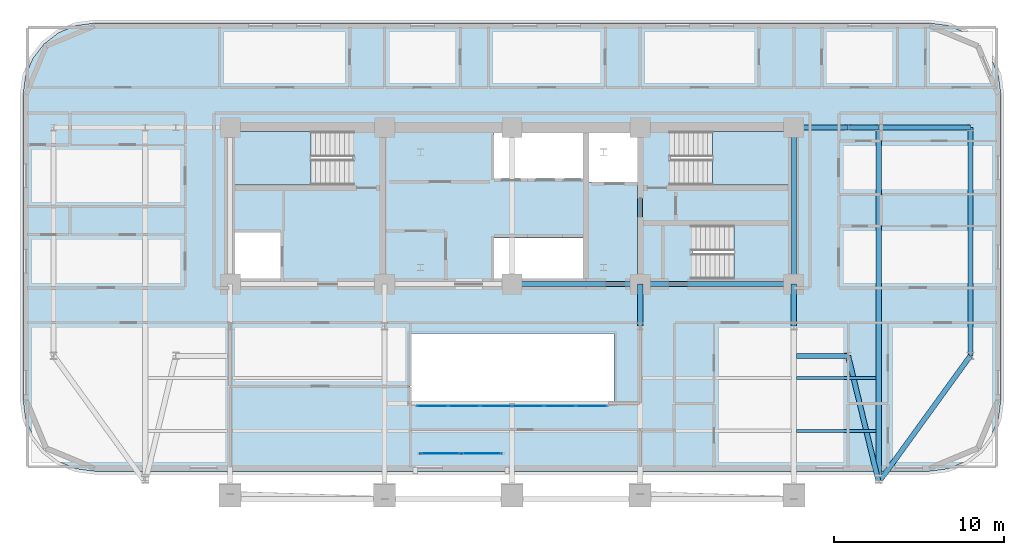
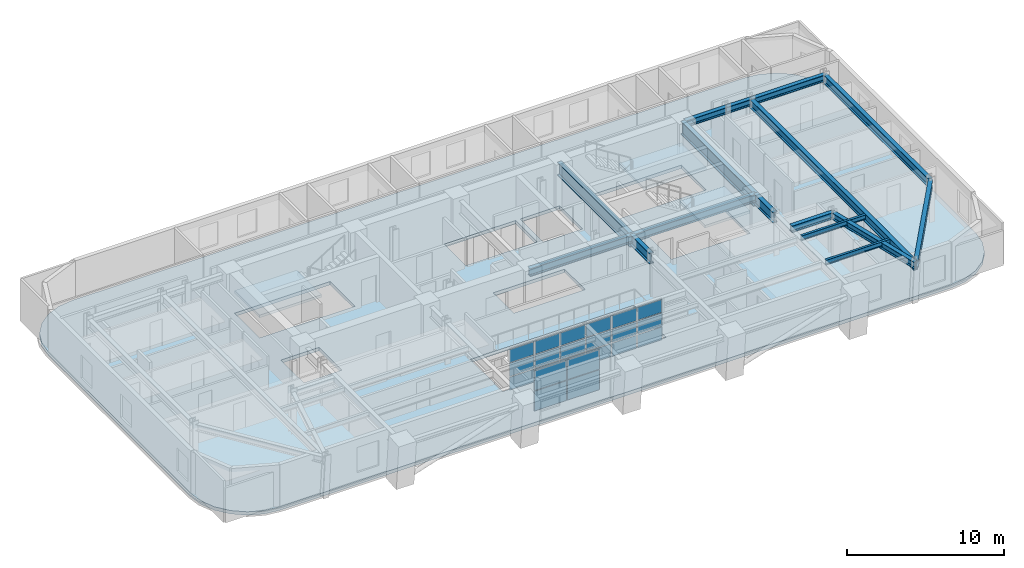
# One storey, part 6 of 16: 22 plates, 16 beams, 4 slabs, 5 elements without a shape of their own.
"""IFC4 building model written with IfcOpenShell, lengths in metres."""

from ifc_helpers import new_model, si_unit, direction, frame, origin, origin_2d, place, context, subcontext, project, spatial, polyline, rectangle, i_section, outline, extrude, material, layer, layer_set, material_profile, profile_set, type_object, element, aggregate, save


model = new_model("IFC4")

# Units and contexts
model_context = context("Model", 3, precision=1e-05, world=origin(), true_north=direction((0.0, 1.0)))
body_context = subcontext(model_context, "Body", "Model", "MODEL_VIEW")
ifc_project = project(units=[si_unit("LENGTHUNIT", "METRE"), si_unit("AREAUNIT", "SQUARE_METRE"), si_unit("VOLUMEUNIT", "CUBIC_METRE"), si_unit("PLANEANGLEUNIT", "RADIAN"), si_unit("MASSUNIT", "GRAM", prefix="KILO")], contexts=[model_context])

# Site, building, storey
site_placement = place(None, origin())
site = spatial("IfcSite", under=ifc_project, at=site_placement, CompositionType="ELEMENT")
building_placement = place(site_placement, origin())
building = spatial("IfcBuilding", under=site, at=building_placement, Name="Zarnavel Station Tower", CompositionType="ELEMENT")
storey_placement = place(building_placement, frame((0.0, 0.0, 118.800048828125)))
storey = spatial("IfcBuildingStorey", under=building, at=storey_placement, Name="L32", CompositionType="ELEMENT", Elevation=118.800048828125)

# Beams
ifc_material_1 = material(Name="Steel S355J2", Category="steel")
ifc_material_profile_1 = material_profile(ifc_material_1, i_section(OverallWidth=0.300048828125, OverallDepth=0.5, WebThickness=0.014404296875, FlangeThickness=0.028076171875, FilletRadius=0.027099609375, at=origin_2d()), Name="HEB500")
ifc_profile_set_1 = profile_set([ifc_material_profile_1], Name="Steel S355J2")
beam_type_1 = type_object("IfcBeamType", Name="FG_HEB500", PredefinedType="USERDEFINED", material=ifc_profile_set_1)
for number, where, z_axis, x_axis, name in (
    (1, (45.544921875, 23.60009765625, 2.989990234375), (1.0, 0.0, 0.0), (0.0, 1.0, 0.0), "L32 East Wing South Tie 1"),
    (2, (45.544921875, 37.050048828125, 2.989990234375), (1.0, 0.0, 0.0), (0.0, 1.0, 0.0), "L32 East Wing North Tie 1"),
):
    element("IfcBeam", number, at=place(storey_placement, frame(where, z_axis=z_axis, x_axis=x_axis)), inside=storey, type_object=beam_type_1, Name=name, ObjectType="GIRDER", PredefinedType="USERDEFINED", context=body_context, shape_type="SweptSolid", body=[
        extrude(i_section(OverallWidth=0.300048828125, OverallDepth=0.5, WebThickness=0.014404296875, FlangeThickness=0.028076171875, FilletRadius=0.027099609375, at=origin_2d()), origin(), (0.0, 0.0, 1.0), 3.05517578125),
    ])
beam_1_placement = place(storey_placement, frame((48.60009765625, 23.60009765625, 2.989990234375), z_axis=(0.234612534321, -0.972088966473, 0.0), x_axis=(0.972088966473, 0.234612534321, 0.0)))
element("IfcBeam", 3, at=beam_1_placement, inside=storey, type_object=beam_type_1, Name="L32 East Wing South Tie 2", ObjectType="GIRDER", PredefinedType="USERDEFINED", context=body_context, shape_type="SweptSolid", body=[
    extrude(i_section(OverallWidth=0.300048828125, OverallDepth=0.5, WebThickness=0.014404296875, FlangeThickness=0.028076171875, FilletRadius=0.027099609375, at=origin_2d()), origin(), (0.0, 0.0, 1.0), 7.67138671875),
])
beam_2_placement = place(storey_placement, frame((48.60009765625, 37.050048828125, 2.989990234375), z_axis=(1.0, 0.0, 0.0), x_axis=(0.0, 1.0, 0.0)))
element("IfcBeam", 4, at=beam_2_placement, inside=storey, type_object=beam_type_1, Name="L32 East Wing North Tie 2", ObjectType="GIRDER", PredefinedType="USERDEFINED", context=body_context, shape_type="SweptSolid", body=[
    extrude(i_section(OverallWidth=0.300048828125, OverallDepth=0.5, WebThickness=0.014404296875, FlangeThickness=0.028076171875, FilletRadius=0.027099609375, at=origin_2d()), origin(), (0.0, 0.0, 1.0), 1.7998046875),
])
beam_3_placement = place(storey_placement, frame((50.39990234375, 16.142822265625, 2.989990234375), z_axis=(0.586513411078, 0.809939515412, 0.0), x_axis=(-0.809939515412, 0.586513411078, 0.0)))
element("IfcBeam", 5, at=beam_3_placement, inside=storey, type_object=beam_type_1, Name="L32 East Wing South Tie 3", ObjectType="GIRDER", PredefinedType="USERDEFINED", context=body_context, shape_type="SweptSolid", body=[
    extrude(i_section(OverallWidth=0.300048828125, OverallDepth=0.5, WebThickness=0.014404296875, FlangeThickness=0.028076171875, FilletRadius=0.027099609375, at=origin_2d()), origin(), (0.0, 0.0, 1.0), 9.207275390625),
])
beam_4_placement = place(storey_placement, frame((50.39990234375, 37.050048828125, 2.989990234375), z_axis=(1.0, 0.0, 0.0), x_axis=(0.0, 1.0, 0.0)))
element("IfcBeam", 6, at=beam_4_placement, inside=storey, type_object=beam_type_1, Name="L32 East Wing North Tie 3", ObjectType="GIRDER", PredefinedType="USERDEFINED", context=body_context, shape_type="SweptSolid", body=[
    extrude(i_section(OverallWidth=0.300048828125, OverallDepth=0.5, WebThickness=0.014404296875, FlangeThickness=0.028076171875, FilletRadius=0.027099609375, at=origin_2d()), origin(), (0.0, 0.0, 1.0), 5.400146484375),
])
ifc_material_2 = material(Name="Steel S355J2", Category="steel")
ifc_material_profile_2 = material_profile(ifc_material_2, i_section(OverallWidth=0.300048828125, OverallDepth=0.60009765625, WebThickness=0.015380859375, FlangeThickness=0.030029296875, FilletRadius=0.027099609375, at=origin_2d()), Name="HEB600")
ifc_profile_set_2 = profile_set([ifc_material_profile_2], Name="Steel S355J2")
beam_type_2 = type_object("IfcBeamType", Name="FG_HEB600", PredefinedType="USERDEFINED", material=ifc_profile_set_2)
beam_5_placement = place(storey_placement, frame((28.800048828125, 27.820068359375, 2.93994140625), z_axis=(1.0, 0.0, 0.0), x_axis=(0.0, 1.0, 0.0)))
element("IfcBeam", 7, at=beam_5_placement, inside=storey, type_object=beam_type_2, Name="L32 Core Front Coupling Beam 3", ObjectType="GIRDER", PredefinedType="USERDEFINED", context=body_context, shape_type="SweptSolid", body=[
    extrude(i_section(OverallWidth=0.300048828125, OverallDepth=0.60009765625, WebThickness=0.015380859375, FlangeThickness=0.030029296875, FilletRadius=0.027099609375, at=origin_2d()), origin(), (0.0, 0.0, 1.0), 7.550048828125),
])
beam_6_placement = place(storey_placement, frame((36.35009765625, 27.820068359375, 2.93994140625), z_axis=(1.0, 0.0, 0.0), x_axis=(0.0, 1.0, 0.0)))
element("IfcBeam", 8, at=beam_6_placement, inside=storey, type_object=beam_type_2, Name="L32 Core Front Coupling Beam 4", ObjectType="GIRDER", PredefinedType="USERDEFINED", context=body_context, shape_type="SweptSolid", body=[
    extrude(i_section(OverallWidth=0.300048828125, OverallDepth=0.60009765625, WebThickness=0.015380859375, FlangeThickness=0.030029296875, FilletRadius=0.027099609375, at=origin_2d()), origin(), (0.0, 0.0, 1.0), 9.0498046875),
])
ifc_material_3 = material(Name="Steel S355J2", Category="steel")
ifc_material_profile_3 = material_profile(ifc_material_3, i_section(OverallWidth=0.300048828125, OverallDepth=0.64990234375, WebThickness=0.01611328125, FlangeThickness=0.031005859375, FilletRadius=0.027099609375, at=origin_2d()), Name="HEB650")
ifc_profile_set_3 = profile_set([ifc_material_profile_3], Name="Steel S355J2")
beam_type_3 = type_object("IfcBeamType", Name="FG_HEB650", PredefinedType="USERDEFINED", material=ifc_profile_set_3)
beam_7_placement = place(storey_placement, frame((50.39990234375, 16.142822265625, 2.9150390625), z_axis=(0.0, 1.0, 0.0), x_axis=(-1.0, 0.0, 0.0)))
element("IfcBeam", 9, at=beam_7_placement, inside=storey, type_object=beam_type_3, Name="L32 Wing NS Girder 3", ObjectType="GIRDER", PredefinedType="USERDEFINED", context=body_context, shape_type="SweptSolid", body=[
    extrude(i_section(OverallWidth=0.300048828125, OverallDepth=0.64990234375, WebThickness=0.01611328125, FlangeThickness=0.031005859375, FilletRadius=0.027099609375, at=origin_2d()), origin(), (0.0, 0.0, 1.0), 20.9072265625),
])
beam_8_placement = place(storey_placement, frame((55.800048828125, 23.60009765625, 2.9150390625), z_axis=(0.0, 1.0, 0.0), x_axis=(-1.0, 0.0, 0.0)))
element("IfcBeam", 10, at=beam_8_placement, inside=storey, type_object=beam_type_3, Name="L32 Wing NS Girder 4", ObjectType="GIRDER", PredefinedType="USERDEFINED", context=body_context, shape_type="SweptSolid", body=[
    extrude(i_section(OverallWidth=0.300048828125, OverallDepth=0.64990234375, WebThickness=0.01611328125, FlangeThickness=0.031005859375, FilletRadius=0.027099609375, at=origin_2d()), origin(), (0.0, 0.0, 1.0), 13.449951171875),
])
ifc_material_4 = material(Name="Steel S460M", Category="steel")
ifc_material_profile_4 = material_profile(ifc_material_4, i_section(OverallWidth=0.302978515625, OverallDepth=0.81396484375, WebThickness=0.02099609375, FlangeThickness=0.0400390625, FilletRadius=0.030029296875, at=origin_2d()), Name="HEM800")
ifc_profile_set_4 = profile_set([ifc_material_profile_4], Name="Steel S460M")
beam_type_4 = type_object("IfcBeamType", Name="FG_HEM800", PredefinedType="USERDEFINED", material=ifc_profile_set_4)
for number, where, z_axis, x_axis, name in (
    (11, (36.35009765625, 25.35009765625, 2.8330078125), (0.0, 1.0, 0.0), (-1.0, 0.0, 0.0), "L32 Inner-Zone NS Girder 4"),
    (12, (45.39990234375, 25.35009765625, 2.8330078125), (0.0, 1.0, 0.0), (-1.0, 0.0, 0.0), "L32 Inner-Zone NS Girder 5"),
):
    element("IfcBeam", number, at=place(storey_placement, frame(where, z_axis=z_axis, x_axis=x_axis)), inside=storey, type_object=beam_type_4, Name=name, ObjectType="GIRDER", PredefinedType="USERDEFINED", context=body_context, shape_type="SweptSolid", body=[
        extrude(i_section(OverallWidth=0.302978515625, OverallDepth=0.81396484375, WebThickness=0.02099609375, FlangeThickness=0.0400390625, FilletRadius=0.030029296875, at=origin_2d()), origin(), (0.0, 0.0, 1.0), 2.469970703125),
    ])
ifc_material_5 = material(Name="Steel S355J2", Category="steel")
ifc_material_profile_5 = material_profile(ifc_material_5, i_section(OverallWidth=0.169921875, OverallDepth=0.360107421875, WebThickness=0.008056640625, FlangeThickness=0.0126953125, FilletRadius=0.01806640625, at=origin_2d()), Name="IPE360")
ifc_profile_set_5 = profile_set([ifc_material_profile_5], Name="Steel S355J2")
beam_type_5 = type_object("IfcBeamType", Name="FJ_IPE360", PredefinedType="JOIST", material=ifc_profile_set_5)
for number, where, z_axis, x_axis, name in (
    (13, (45.544921875, 19.17919921875, 3.06005859375), (1.0, 0.0, 0.0), (0.0, 1.0, 0.0), "L32 East Wing Joist 1"),
    (14, (45.544921875, 22.28955078125, 3.06005859375), (1.0, 0.0, 0.0), (0.0, 1.0, 0.0), "L32 East Wing Joist 2"),
):
    element("IfcBeam", number, at=place(storey_placement, frame(where, z_axis=z_axis, x_axis=x_axis)), inside=storey, type_object=beam_type_5, Name=name, PredefinedType="JOIST", context=body_context, shape_type="SweptSolid", body=[
        extrude(i_section(OverallWidth=0.169921875, OverallDepth=0.360107421875, WebThickness=0.008056640625, FlangeThickness=0.0126953125, FilletRadius=0.01806640625, at=origin_2d()), origin(), (0.0, 0.0, 1.0), 4.7099609375),
    ])
ifc_material_6 = material(Name="Steel S460M", Category="steel")
ifc_material_profile_6 = material_profile(ifc_material_6, i_section(OverallWidth=0.302001953125, OverallDepth=1.008056640625, WebThickness=0.02099609375, FlangeThickness=0.0400390625, FilletRadius=0.030029296875, at=origin_2d()), Name="HEM1000")
ifc_profile_set_6 = profile_set([ifc_material_profile_6], Name="Steel S460M")
beam_type_6 = type_object("IfcBeamType", Name="TG_HEM1000", PredefinedType="USERDEFINED", material=ifc_profile_set_6)
for number, where, z_axis, x_axis, name in (
    (15, (36.35009765625, 27.820068359375, 2.73583984375), (0.0, 1.0, 0.0), (-1.0, 0.0, 0.0), "L32 Core Spine Coupling Girder 4"),
    (16, (45.39990234375, 27.820068359375, 2.73583984375), (0.0, 1.0, 0.0), (-1.0, 0.0, 0.0), "L32 Core Spine Coupling Girder 5"),
):
    element("IfcBeam", number, at=place(storey_placement, frame(where, z_axis=z_axis, x_axis=x_axis)), inside=storey, type_object=beam_type_6, Name=name, ObjectType="GIRDER", PredefinedType="USERDEFINED", context=body_context, shape_type="SweptSolid", body=[
        extrude(i_section(OverallWidth=0.302001953125, OverallDepth=1.008056640625, WebThickness=0.02099609375, FlangeThickness=0.0400390625, FilletRadius=0.030029296875, at=origin_2d()), origin(), (0.0, 0.0, 1.0), 9.22998046875),
    ])

# Curtain wall, plates
ifc_material_7 = material(Name="Aluminium Dark Anodised and Solar-Control Glass", Category="aluminium")
ifc_layer_1 = layer(ifc_material_7, 0.179931640625)
ifc_layer_set_1 = layer_set([ifc_layer_1], Name="CWS3")
curtain_wall_type_1 = type_object("IfcCurtainWallType", Name="CWS3", PredefinedType="NOTDEFINED", material=ifc_layer_set_1)
curtain_wall_1_placement = place(storey_placement, origin())
curtain_wall_1 = element("IfcCurtainWall", 17, at=curtain_wall_1_placement, inside=storey, type_object=curtain_wall_type_1, Name="L32 Curtain Wall CWS3-L32-AS", PredefinedType="NOTDEFINED")
ifc_material_8 = material(Name="Double Low-E Dark Solar-Control Glass", Category="glass")
ifc_layer_2 = layer(ifc_material_8, 0.030029296875)
ifc_layer_set_2 = layer_set([ifc_layer_2], Name="CWS3_PNL")
plate_type_1 = type_object("IfcPlateType", Name="CWS3_PNL", PredefinedType="CURTAIN_PANEL", material=ifc_layer_set_2)
plate_1_placement = place(storey_placement, frame((24.106689453125, 20.64990234375, 0.06005859375), z_axis=(0.0, 0.0, 1.0), x_axis=(1.0, 0.0, 0.0)))
plate_1 = element("IfcPlate", 18, at=plate_1_placement, type_object=plate_type_1, Name="CW3 panel 1.1", PredefinedType="CURTAIN_PANEL", context=body_context, shape_type="SweptSolid", body=[
    extrude(rectangle(XDim=1.793212890625, YDim=0.028076171875, at=origin_2d()), origin(), (0.0, 0.0, 1.0), 0.989990234375),
])
plate_2_placement = place(storey_placement, frame((24.106689453125, 20.64990234375, 1.10986328125), z_axis=(0.0, 0.0, 1.0), x_axis=(1.0, 0.0, 0.0)))
plate_2 = element("IfcPlate", 19, at=plate_2_placement, type_object=plate_type_1, Name="CW3 panel 1.2", PredefinedType="CURTAIN_PANEL", context=body_context, shape_type="SweptSolid", body=[
    extrude(rectangle(XDim=1.793212890625, YDim=0.028076171875, at=origin_2d()), origin(), (0.0, 0.0, 1.0), 1.02001953125),
])
plate_3_placement = place(storey_placement, frame((24.106689453125, 20.64990234375, 2.18994140625), z_axis=(0.0, 0.0, 1.0), x_axis=(1.0, 0.0, 0.0)))
plate_3 = element("IfcPlate", 20, at=plate_3_placement, type_object=plate_type_1, Name="CW3 panel 1.3", PredefinedType="CURTAIN_PANEL", context=body_context, shape_type="SweptSolid", body=[
    extrude(rectangle(XDim=1.793212890625, YDim=0.028076171875, at=origin_2d()), origin(), (0.0, 0.0, 1.0), 0.989990234375),
])
plate_4_placement = place(storey_placement, frame((25.97509765625, 20.64990234375, 0.06005859375), z_axis=(0.0, 0.0, 1.0), x_axis=(1.0, 0.0, 0.0)))
plate_4 = element("IfcPlate", 21, at=plate_4_placement, type_object=plate_type_1, Name="CW3 panel 2.1", PredefinedType="CURTAIN_PANEL", context=body_context, shape_type="SweptSolid", body=[
    extrude(rectangle(XDim=1.8232421875, YDim=0.028076171875, at=origin_2d()), origin(), (0.0, 0.0, 1.0), 0.989990234375),
])
plate_5_placement = place(storey_placement, frame((25.97509765625, 20.64990234375, 1.10986328125), z_axis=(0.0, 0.0, 1.0), x_axis=(1.0, 0.0, 0.0)))
plate_5 = element("IfcPlate", 22, at=plate_5_placement, type_object=plate_type_1, Name="CW3 panel 2.2", PredefinedType="CURTAIN_PANEL", context=body_context, shape_type="SweptSolid", body=[
    extrude(rectangle(XDim=1.8232421875, YDim=0.028076171875, at=origin_2d()), origin(), (0.0, 0.0, 1.0), 1.02001953125),
])
plate_6_placement = place(storey_placement, frame((25.97509765625, 20.64990234375, 2.18994140625), z_axis=(0.0, 0.0, 1.0), x_axis=(1.0, 0.0, 0.0)))
plate_6 = element("IfcPlate", 23, at=plate_6_placement, type_object=plate_type_1, Name="CW3 panel 2.3", PredefinedType="CURTAIN_PANEL", context=body_context, shape_type="SweptSolid", body=[
    extrude(rectangle(XDim=1.8232421875, YDim=0.028076171875, at=origin_2d()), origin(), (0.0, 0.0, 1.0), 0.989990234375),
])
plate_7_placement = place(storey_placement, frame((27.8583984375, 20.64990234375, 0.06005859375), z_axis=(0.0, 0.0, 1.0), x_axis=(1.0, 0.0, 0.0)))
plate_7 = element("IfcPlate", 24, at=plate_7_placement, type_object=plate_type_1, Name="CW3 panel 3.1", PredefinedType="CURTAIN_PANEL", context=body_context, shape_type="SweptSolid", body=[
    extrude(rectangle(XDim=1.8232421875, YDim=0.028076171875, at=origin_2d()), origin(), (0.0, 0.0, 1.0), 0.989990234375),
])
plate_8_placement = place(storey_placement, frame((27.8583984375, 20.64990234375, 1.10986328125), z_axis=(0.0, 0.0, 1.0), x_axis=(1.0, 0.0, 0.0)))
plate_8 = element("IfcPlate", 25, at=plate_8_placement, type_object=plate_type_1, Name="CW3 panel 3.2", PredefinedType="CURTAIN_PANEL", context=body_context, shape_type="SweptSolid", body=[
    extrude(rectangle(XDim=1.8232421875, YDim=0.028076171875, at=origin_2d()), origin(), (0.0, 0.0, 1.0), 1.02001953125),
])
plate_9_placement = place(storey_placement, frame((27.8583984375, 20.64990234375, 2.18994140625), z_axis=(0.0, 0.0, 1.0), x_axis=(1.0, 0.0, 0.0)))
plate_9 = element("IfcPlate", 26, at=plate_9_placement, type_object=plate_type_1, Name="CW3 panel 3.3", PredefinedType="CURTAIN_PANEL", context=body_context, shape_type="SweptSolid", body=[
    extrude(rectangle(XDim=1.8232421875, YDim=0.028076171875, at=origin_2d()), origin(), (0.0, 0.0, 1.0), 0.989990234375),
])
plate_10_placement = place(storey_placement, frame((29.74169921875, 20.64990234375, 0.06005859375), z_axis=(0.0, 0.0, 1.0), x_axis=(1.0, 0.0, 0.0)))
plate_10 = element("IfcPlate", 27, at=plate_10_placement, type_object=plate_type_1, Name="CW3 panel 4.1", PredefinedType="CURTAIN_PANEL", context=body_context, shape_type="SweptSolid", body=[
    extrude(rectangle(XDim=1.8232421875, YDim=0.028076171875, at=origin_2d()), origin(), (0.0, 0.0, 1.0), 0.989990234375),
])
plate_11_placement = place(storey_placement, frame((29.74169921875, 20.64990234375, 1.10986328125), z_axis=(0.0, 0.0, 1.0), x_axis=(1.0, 0.0, 0.0)))
plate_11 = element("IfcPlate", 28, at=plate_11_placement, type_object=plate_type_1, Name="CW3 panel 4.2", PredefinedType="CURTAIN_PANEL", context=body_context, shape_type="SweptSolid", body=[
    extrude(rectangle(XDim=1.8232421875, YDim=0.028076171875, at=origin_2d()), origin(), (0.0, 0.0, 1.0), 1.02001953125),
])
plate_12_placement = place(storey_placement, frame((29.74169921875, 20.64990234375, 2.18994140625), z_axis=(0.0, 0.0, 1.0), x_axis=(1.0, 0.0, 0.0)))
plate_12 = element("IfcPlate", 29, at=plate_12_placement, type_object=plate_type_1, Name="CW3 panel 4.3", PredefinedType="CURTAIN_PANEL", context=body_context, shape_type="SweptSolid", body=[
    extrude(rectangle(XDim=1.8232421875, YDim=0.028076171875, at=origin_2d()), origin(), (0.0, 0.0, 1.0), 0.989990234375),
])
plate_13_placement = place(storey_placement, frame((31.625, 20.64990234375, 0.06005859375), z_axis=(0.0, 0.0, 1.0), x_axis=(1.0, 0.0, 0.0)))
plate_13 = element("IfcPlate", 30, at=plate_13_placement, type_object=plate_type_1, Name="CW3 panel 5.1", PredefinedType="CURTAIN_PANEL", context=body_context, shape_type="SweptSolid", body=[
    extrude(rectangle(XDim=1.8232421875, YDim=0.028076171875, at=origin_2d()), origin(), (0.0, 0.0, 1.0), 0.989990234375),
])
plate_14_placement = place(storey_placement, frame((31.625, 20.64990234375, 1.10986328125), z_axis=(0.0, 0.0, 1.0), x_axis=(1.0, 0.0, 0.0)))
plate_14 = element("IfcPlate", 31, at=plate_14_placement, type_object=plate_type_1, Name="CW3 panel 5.2", PredefinedType="CURTAIN_PANEL", context=body_context, shape_type="SweptSolid", body=[
    extrude(rectangle(XDim=1.8232421875, YDim=0.028076171875, at=origin_2d()), origin(), (0.0, 0.0, 1.0), 1.02001953125),
])
plate_15_placement = place(storey_placement, frame((31.625, 20.64990234375, 2.18994140625), z_axis=(0.0, 0.0, 1.0), x_axis=(1.0, 0.0, 0.0)))
plate_15 = element("IfcPlate", 32, at=plate_15_placement, type_object=plate_type_1, Name="CW3 panel 5.3", PredefinedType="CURTAIN_PANEL", context=body_context, shape_type="SweptSolid", body=[
    extrude(rectangle(XDim=1.8232421875, YDim=0.028076171875, at=origin_2d()), origin(), (0.0, 0.0, 1.0), 0.989990234375),
])
plate_16_placement = place(storey_placement, frame((33.493408203125, 20.64990234375, 0.06005859375), z_axis=(0.0, 0.0, 1.0), x_axis=(1.0, 0.0, 0.0)))
plate_16 = element("IfcPlate", 33, at=plate_16_placement, type_object=plate_type_1, Name="CW3 panel 6.1", PredefinedType="CURTAIN_PANEL", context=body_context, shape_type="SweptSolid", body=[
    extrude(rectangle(XDim=1.793212890625, YDim=0.028076171875, at=origin_2d()), origin(), (0.0, 0.0, 1.0), 0.989990234375),
])
plate_17_placement = place(storey_placement, frame((33.493408203125, 20.64990234375, 1.10986328125), z_axis=(0.0, 0.0, 1.0), x_axis=(1.0, 0.0, 0.0)))
plate_17 = element("IfcPlate", 34, at=plate_17_placement, type_object=plate_type_1, Name="CW3 panel 6.2", PredefinedType="CURTAIN_PANEL", context=body_context, shape_type="SweptSolid", body=[
    extrude(rectangle(XDim=1.793212890625, YDim=0.028076171875, at=origin_2d()), origin(), (0.0, 0.0, 1.0), 1.02001953125),
])
plate_18_placement = place(storey_placement, frame((33.493408203125, 20.64990234375, 2.18994140625), z_axis=(0.0, 0.0, 1.0), x_axis=(1.0, 0.0, 0.0)))
plate_18 = element("IfcPlate", 35, at=plate_18_placement, type_object=plate_type_1, Name="CW3 panel 6.3", PredefinedType="CURTAIN_PANEL", context=body_context, shape_type="SweptSolid", body=[
    extrude(rectangle(XDim=1.793212890625, YDim=0.028076171875, at=origin_2d()), origin(), (0.0, 0.0, 1.0), 0.989990234375),
])
aggregate(curtain_wall_1, [plate_1, plate_2, plate_3, plate_4, plate_5, plate_6, plate_7, plate_8, plate_9, plate_10, plate_11, plate_12, plate_13, plate_14, plate_15, plate_16, plate_17, plate_18])

ifc_material_9 = material(Name="Aluminium Dark Anodised and Solar-Control Glass", Category="aluminium")
ifc_layer_3 = layer(ifc_material_9, 0.179931640625)
ifc_layer_set_3 = layer_set([ifc_layer_3], Name="CWS6")
curtain_wall_type_2 = type_object("IfcCurtainWallType", Name="CWS6", PredefinedType="NOTDEFINED", material=ifc_layer_set_3)
curtain_wall_2_placement = place(storey_placement, origin())
curtain_wall_2 = element("IfcCurtainWall", 36, at=curtain_wall_2_placement, inside=storey, type_object=curtain_wall_type_2, Name="L32 Curtain Wall CWS6-LOG-L32", PredefinedType="NOTDEFINED")
ifc_material_10 = material(Name="Double Low-E Dark Solar-Control Glass", Category="glass")
ifc_layer_4 = layer(ifc_material_10, 0.0380859375)
ifc_layer_set_4 = layer_set([ifc_layer_4], Name="CWS6_PNL")
plate_type_2 = type_object("IfcPlateType", Name="CWS6_PNL", PredefinedType="CURTAIN_PANEL", material=ifc_layer_set_4)
plate_19_placement = place(storey_placement, frame((24.590087890625, 17.85009765625, 0.06005859375), z_axis=(0.0, 0.0, 1.0), x_axis=(1.0, 0.0, 0.0)))
plate_19 = element("IfcPlate", 37, at=plate_19_placement, type_object=plate_type_2, Name="CW6 panel 1.1", PredefinedType="CURTAIN_PANEL", context=body_context, shape_type="SweptSolid", body=[
    extrude(rectangle(XDim=2.360107421875, YDim=0.028076171875, at=origin_2d()), origin(), (0.0, 0.0, 1.0), 1.530029296875),
])
plate_20_placement = place(storey_placement, frame((24.590087890625, 17.85009765625, 1.64990234375), z_axis=(0.0, 0.0, 1.0), x_axis=(1.0, 0.0, 0.0)))
plate_20 = element("IfcPlate", 38, at=plate_20_placement, type_object=plate_type_2, Name="CW6 panel 1.2", PredefinedType="CURTAIN_PANEL", context=body_context, shape_type="SweptSolid", body=[
    extrude(rectangle(XDim=2.360107421875, YDim=0.028076171875, at=origin_2d()), origin(), (0.0, 0.0, 1.0), 1.530029296875),
])
plate_21_placement = place(storey_placement, frame((27.010009765625, 17.85009765625, 0.06005859375), z_axis=(0.0, 0.0, 1.0), x_axis=(1.0, 0.0, 0.0)))
plate_21 = element("IfcPlate", 39, at=plate_21_placement, type_object=plate_type_2, Name="CW6 panel 2.1", PredefinedType="CURTAIN_PANEL", context=body_context, shape_type="SweptSolid", body=[
    extrude(rectangle(XDim=2.360107421875, YDim=0.028076171875, at=origin_2d()), origin(), (0.0, 0.0, 1.0), 1.530029296875),
])
plate_22_placement = place(storey_placement, frame((27.010009765625, 17.85009765625, 1.64990234375), z_axis=(0.0, 0.0, 1.0), x_axis=(1.0, 0.0, 0.0)))
plate_22 = element("IfcPlate", 40, at=plate_22_placement, type_object=plate_type_2, Name="CW6 panel 2.2", PredefinedType="CURTAIN_PANEL", context=body_context, shape_type="SweptSolid", body=[
    extrude(rectangle(XDim=2.360107421875, YDim=0.028076171875, at=origin_2d()), origin(), (0.0, 0.0, 1.0), 1.530029296875),
])
aggregate(curtain_wall_2, [plate_19, plate_20, plate_21, plate_22])

# Slab
ifc_material_11 = material(Name="Concrete C45/55", Category="concrete")
ifc_layer_5 = layer(ifc_material_11, 0.260009765625)
ifc_layer_set_5 = layer_set([ifc_layer_5], Name="SL_FLR_260")
slab_type_1 = type_object("IfcSlabType", Name="SL_FLR_260", PredefinedType="FLOOR", material=ifc_layer_set_5)
slab_1_placement = place(storey_placement, frame((0.0, 0.0, -0.260009765625)))
element("IfcSlab", 41, at=slab_1_placement, inside=storey, type_object=slab_type_1, Name="L32 Structural Floor Slab", PredefinedType="FLOOR", context=body_context, shape_type="SweptSolid", body=[
    extrude(outline(polyline([(53.39990234375, 16.800048828125), (54.487060546875, 16.943115234375), (55.5, 17.36279296875), (56.369873046875, 18.0302734375), (57.037353515625, 18.89990234375), (57.456787109375, 19.9130859375), (57.60009765625, 21.0), (57.60009765625, 39.0), (57.456787109375, 40.0869140625), (57.037353515625, 41.10009765625), (56.369873046875, 41.9697265625), (55.5, 42.63720703125), (54.487060546875, 43.056884765625), (53.39990234375, 43.199951171875), (4.199951171875, 43.199951171875), (3.113037109375, 43.056884765625), (2.10009765625, 42.63720703125), (1.230224609375, 41.9697265625), (0.562744140625, 41.10009765625), (0.14306640625, 40.0869140625), (0.0, 39.0), (0.0, 21.0), (0.14306640625, 19.9130859375), (0.562744140625, 18.89990234375), (1.230224609375, 18.0302734375), (2.10009765625, 17.36279296875), (3.113037109375, 16.943115234375), (4.199951171875, 16.800048828125), (53.39990234375, 16.800048828125)]), holes=[polyline([(12.39990234375, 33.659912109375), (19.409912109375, 33.659912109375), (19.409912109375, 36.820068359375), (12.39990234375, 36.820068359375), (12.39990234375, 33.659912109375)]), polyline([(38.14990234375, 33.659912109375), (45.159912109375, 33.659912109375), (45.159912109375, 36.820068359375), (38.14990234375, 36.820068359375), (38.14990234375, 33.659912109375)]), polyline([(39.419921875, 28.1201171875), (45.14990234375, 28.1201171875), (45.14990234375, 31.280029296875), (39.419921875, 31.280029296875), (39.419921875, 28.1201171875)]), polyline([(12.35009765625, 27.949951171875), (15.14990234375, 27.949951171875), (15.14990234375, 30.85009765625), (12.35009765625, 30.85009765625), (12.35009765625, 27.949951171875)]), polyline([(33.320068359375, 33.85009765625), (36.2099609375, 33.85009765625), (36.2099609375, 36.780029296875), (33.320068359375, 36.780029296875), (33.320068359375, 33.85009765625)]), polyline([(27.75, 34.050048828125), (32.97998046875, 34.050048828125), (32.97998046875, 36.780029296875), (27.75, 36.780029296875), (27.75, 34.050048828125)]), polyline([(27.75, 27.949951171875), (32.97998046875, 27.949951171875), (32.97998046875, 30.550048828125), (27.75, 30.550048828125), (27.75, 27.949951171875)]), polyline([(22.800048828125, 20.800048828125), (34.800048828125, 20.800048828125), (34.800048828125, 24.89990234375), (22.800048828125, 24.89990234375), (22.800048828125, 20.800048828125)])]), origin(), (0.0, 0.0, 1.0), 0.260009765625),
])

# Stair, slab
ifc_material_12 = material(Name="Concrete C45/55", Category="concrete")
stair_type = type_object("IfcStairType", Name="ST_CORE_150", PredefinedType="HALF_TURN_STAIR", material=ifc_material_12)
stair_1_placement = place(storey_placement, origin())
stair_1 = element("IfcStair", 42, at=stair_1_placement, inside=storey, type_object=stair_type, Name="L32 Core Exit Stair ST1", PredefinedType="HALF_TURN_STAIR")
ifc_material_13 = material(Name="Concrete C45/55", Category="concrete")
ifc_layer_6 = layer(ifc_material_13, 0.199951171875)
ifc_layer_set_6 = layer_set([ifc_layer_6], Name="SL_STAIR_LAND_200")
slab_type_2 = type_object("IfcSlabType", Name="SL_STAIR_LAND_200", PredefinedType="LANDING", material=ifc_layer_set_6)
slab_2_placement = place(storey_placement, frame((0.0, 0.0, 1.550048828125)))
slab_2 = element("IfcSlab", 43, at=slab_2_placement, type_object=slab_type_2, Name="ST1 landing 1", PredefinedType="LANDING", context=body_context, shape_type="SweptSolid", body=[
    extrude(outline(polyline([(16.9599609375, 36.820068359375), (12.39990234375, 36.820068359375), (12.39990234375, 33.659912109375), (16.9599609375, 33.659912109375), (16.9599609375, 36.820068359375)])), origin(), (0.0, 0.0, 1.0), 0.199951171875),
])
aggregate(stair_1, [slab_2])

stair_2_placement = place(storey_placement, origin())
stair_2 = element("IfcStair", 44, at=stair_2_placement, inside=storey, type_object=stair_type, Name="L32 Core Exit Stair ST2", PredefinedType="HALF_TURN_STAIR")
slab_3_placement = place(storey_placement, frame((0.0, 0.0, 1.550048828125)))
slab_3 = element("IfcSlab", 45, at=slab_3_placement, type_object=slab_type_2, Name="ST2 landing 1", PredefinedType="LANDING", context=body_context, shape_type="SweptSolid", body=[
    extrude(outline(polyline([(40.60009765625, 33.659912109375), (45.159912109375, 33.659912109375), (45.159912109375, 36.820068359375), (40.60009765625, 36.820068359375), (40.60009765625, 33.659912109375)])), origin(), (0.0, 0.0, 1.0), 0.199951171875),
])
aggregate(stair_2, [slab_3])

stair_3_placement = place(storey_placement, origin())
stair_3 = element("IfcStair", 46, at=stair_3_placement, inside=storey, type_object=stair_type, Name="L32 Core Exit Stair ST3", PredefinedType="HALF_TURN_STAIR")
slab_4_placement = place(storey_placement, frame((0.0, 0.0, 1.550048828125)))
slab_4 = element("IfcSlab", 47, at=slab_4_placement, type_object=slab_type_2, Name="ST3 landing 1", PredefinedType="LANDING", context=body_context, shape_type="SweptSolid", body=[
    extrude(outline(polyline([(41.8701171875, 28.1201171875), (45.14990234375, 28.1201171875), (45.14990234375, 31.280029296875), (41.8701171875, 31.280029296875), (41.8701171875, 28.1201171875)])), origin(), (0.0, 0.0, 1.0), 0.199951171875),
])
aggregate(stair_3, [slab_4])

save(model, "model.ifc")
